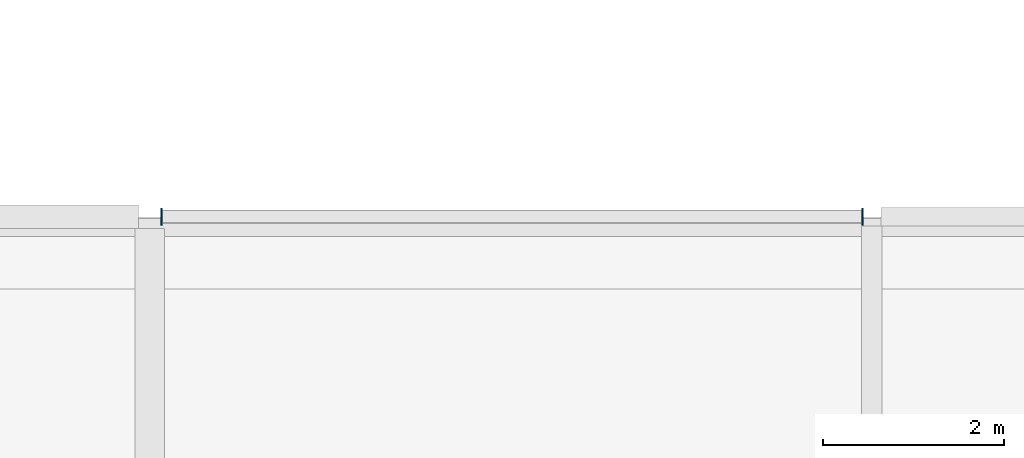
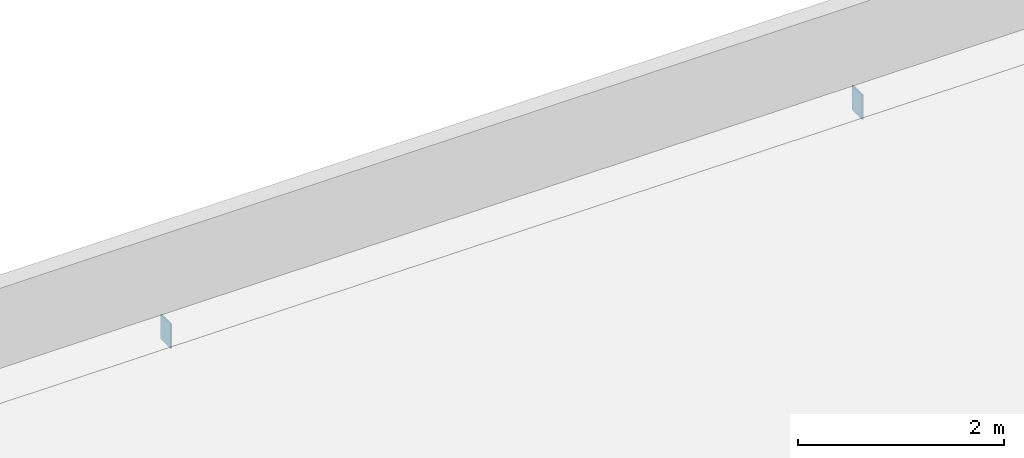
# One storey, part 116 of 153: 2 plates.
"""IFC4 building model written with IfcOpenShell, lengths in metres."""

from ifc_helpers import new_model, si_unit, direction, frame, origin, origin_2d, place, context, subcontext, project, spatial, rectangle, extrude, material, layer, layer_set, type_object, element, save


model = new_model("IFC4")

# Units and contexts
model_context = context("Model", 3, precision=1e-05, world=origin(), true_north=direction((0.0, 1.0)))
body_context = subcontext(model_context, "Body", "Model", "MODEL_VIEW")
ifc_project = project(units=[si_unit("LENGTHUNIT", "METRE"), si_unit("AREAUNIT", "SQUARE_METRE"), si_unit("VOLUMEUNIT", "CUBIC_METRE"), si_unit("PLANEANGLEUNIT", "RADIAN"), si_unit("MASSUNIT", "GRAM", prefix="KILO")], contexts=[model_context])

# Site, building, storey
site_placement = place(None, origin())
site = spatial("IfcSite", under=ifc_project, at=site_placement, CompositionType="ELEMENT")
building_placement = place(site_placement, origin())
building = spatial("IfcBuilding", under=site, at=building_placement, Name="Calvrana Isthmian Art Gallery", CompositionType="ELEMENT")
storey_placement = place(building_placement, frame((0.0, 0.0, 10.199951171875)))
storey = spatial("IfcBuildingStorey", under=building, at=storey_placement, Name="L02", CompositionType="ELEMENT", Elevation=10.199951171875)

# Plates
ifc_material = material(Name="Steel ASTM A572 Gr 50", Category="steel")
ifc_layer = layer(ifc_material, 0.01611328125, Name="Steel ASTM A572 Gr 50")
ifc_layer_set = layer_set([ifc_layer], Name="Steel ASTM A572 Gr 50")
plate_type = type_object("IfcPlateType", Name="PL-CAP-16", PredefinedType="SHEET", material=ifc_layer_set)
for number, where, z_axis, x_axis, name in (
    (1, (80.527099609375, 62.0, -0.538818359375), (0.0, 0.0, 1.0), (1.0, 0.0, 0.0), "Hollow section end cap plate 461"),
    (2, (88.29833984375, 62.0, -0.538818359375), (0.0, 0.0, 1.0), (1.0, 0.0, 0.0), "Hollow section end cap plate 462"),
):
    element("IfcPlate", number, at=place(storey_placement, frame(where, z_axis=z_axis, x_axis=x_axis)), inside=storey, type_object=plate_type, Name=name, PredefinedType="SHEET", context=body_context, shape_type="SweptSolid", body=[
        extrude(rectangle(XDim=0.01611328125, YDim=0.1923828125, at=origin_2d()), origin(), (0.0, 0.0, 1.0), 0.2939453125),
    ])

save(model, "model.ifc")
